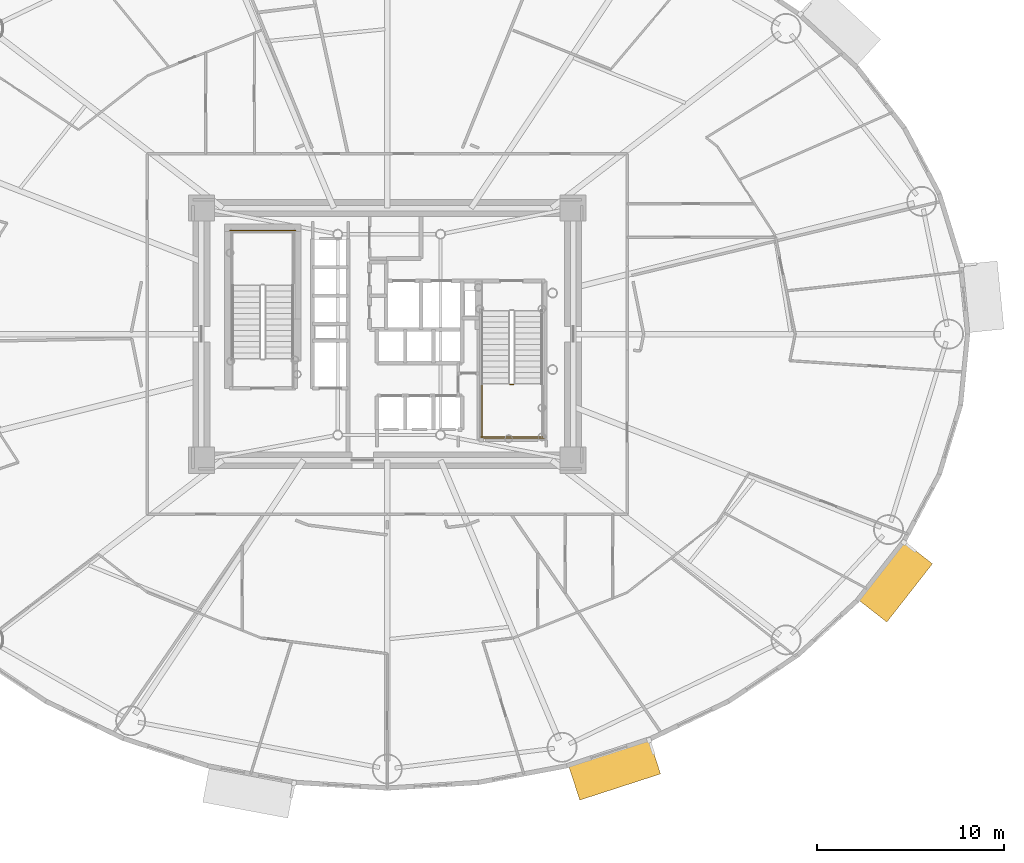
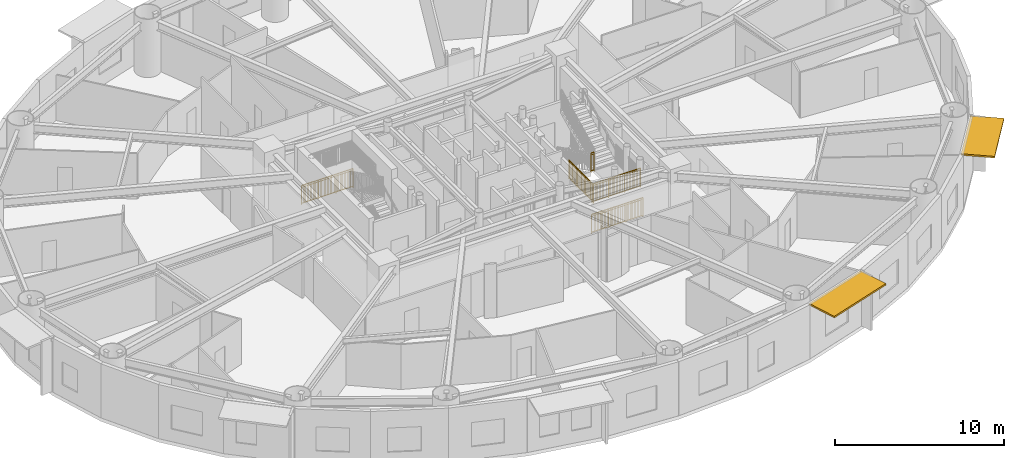
# One storey, part 18 of 21: 5 railings, 2 shading devices.
"""IFC4 building model written with IfcOpenShell, lengths in metres."""

from ifc_helpers import new_model, si_unit, direction, frame, origin, origin_2d, place, context, subcontext, project, spatial, rectangle, extrude, source, transform, mapped, material, layer, layer_set, type_object, element, save


model = new_model("IFC4")

# Units and contexts
model_context = context("Model", 3, precision=1e-05, world=origin(), true_north=direction((0.0, 1.0)))
body_context = subcontext(model_context, "Body", "Model", "MODEL_VIEW")
ifc_project = project(units=[si_unit("LENGTHUNIT", "METRE"), si_unit("AREAUNIT", "SQUARE_METRE"), si_unit("VOLUMEUNIT", "CUBIC_METRE"), si_unit("PLANEANGLEUNIT", "RADIAN"), si_unit("MASSUNIT", "GRAM", prefix="KILO")], contexts=[model_context])

# Site, building, storey
site_placement = place(None, origin())
site = spatial("IfcSite", under=ifc_project, at=site_placement, CompositionType="ELEMENT")
building_placement = place(site_placement, origin())
building = spatial("IfcBuilding", under=site, at=building_placement, Name="Linh Dai School and Residence Tower", CompositionType="ELEMENT")
storey_placement = place(building_placement, frame((0.0, 0.0, 82.800048828125)))
storey = spatial("IfcBuildingStorey", under=building, at=storey_placement, Name="L19", CompositionType="ELEMENT", Elevation=82.800048828125)

# Shading devices
ifc_material_1 = material(Name="Terracotta Ceramic Sunshade", Category="masonry")
ifc_layer = layer(ifc_material_1, 0.1201171875)
ifc_layer_set = layer_set([ifc_layer], Name="Terracotta Ceramic Sunshade")
shading_device_type = type_object("IfcShadingDeviceType", Name="SHD-TC-2000", PredefinedType="USERDEFINED", material=ifc_layer_set)
shared_shape_1 = source(origin(), body_context, "Body", "SweptSolid", [
    extrude(rectangle(XDim=4.54931640625, YDim=2.0, at=origin_2d()), origin(), (0.0, 0.0, 1.0), 0.1201171875),
])
shading_device_1_placement = place(storey_placement, frame((48.160400390625, 3.70458984375, 3.760009765625), z_axis=(0.0, 0.0, 1.0), x_axis=(-0.951220777043, -0.308510993844, 0.0)))
element("IfcShadingDevice", 1, at=shading_device_1_placement, inside=storey, type_object=shading_device_type, Name="L19 Terracotta Horizontal Sunshade Band 33", ObjectType="SUNSHADE", PredefinedType="USERDEFINED", context=body_context, shape_type="MappedRepresentation", body=[
    mapped(shared_shape_1, transform((0.0, 0.0, 0.0), x_axis=(1.0, 0.0, 0.0), y_axis=(0.0, 1.0, 0.0), z_axis=(0.0, 0.0, 1.0), scale=1.0)),
])
shared_shape_2 = source(origin(), body_context, "Body", "SweptSolid", [
    extrude(rectangle(XDim=3.964111328125, YDim=2.0, at=origin_2d()), origin(), (0.0, 0.0, 1.0), 0.1201171875),
])
shading_device_2_placement = place(storey_placement, frame((63.17822265625, 13.759521484375, 3.760009765625), z_axis=(0.0, 0.0, 1.0), x_axis=(-0.616319427785, -0.787496262172, 0.0)))
element("IfcShadingDevice", 2, at=shading_device_2_placement, inside=storey, type_object=shading_device_type, Name="L19 Terracotta Horizontal Sunshade Band 37", ObjectType="SUNSHADE", PredefinedType="USERDEFINED", context=body_context, shape_type="MappedRepresentation", body=[
    mapped(shared_shape_2, transform((0.0, 0.0, 0.0), x_axis=(1.0, 0.0, 0.0), y_axis=(0.0, 1.0, 0.0), z_axis=(0.0, 0.0, 1.0), scale=1.0)),
])

# Railings
ifc_material_2 = material(Name="Structural Steel S355JR", Category="steel")
railing_type = type_object("IfcRailingType", Name="RL-ST-GUARD-1400", PredefinedType="GUARDRAIL", material=ifc_material_2)
shared_shape_3 = source(origin(), body_context, "Body", "SweptSolid", [
    extrude(rectangle(XDim=0.048095703125, YDim=0.048095703125, at=origin_2d()), frame((0.0, 0.0, 1.3759765625), z_axis=(-1.0, 0.0, 0.0), x_axis=(0.0, -1.0, 0.0)), (0.0, 0.0, 1.0), 3.5),
    extrude(rectangle(XDim=0.048095703125, YDim=0.048095703125, at=origin_2d()), frame((0.0, 0.0, 0.10009765625), z_axis=(-1.0, 0.0, 0.0), x_axis=(0.0, -1.0, 0.0)), (0.0, 0.0, 1.0), 3.5),
    extrude(rectangle(XDim=0.030029296875, YDim=0.030029296875, at=origin_2d()), frame((0.0, 0.0, 1.239990234375), z_axis=(-1.0, 0.0, 0.0), x_axis=(0.0, -1.0, 0.0)), (0.0, 0.0, 1.0), 3.5),
    extrude(rectangle(XDim=0.02001953125, YDim=0.02001953125, at=origin_2d()), frame((-0.09716796875, 0.0, 0.10009765625)), (0.0, 0.0, 1.0), 1.251708984375),
    extrude(rectangle(XDim=0.02001953125, YDim=0.02001953125, at=origin_2d()), frame((-0.1943359375, 0.0, 0.10009765625)), (0.0, 0.0, 1.0), 1.251708984375),
    extrude(rectangle(XDim=0.02001953125, YDim=0.02001953125, at=origin_2d()), frame((-0.291748046875, 0.0, 0.10009765625)), (0.0, 0.0, 1.0), 1.251708984375),
    extrude(rectangle(XDim=0.02001953125, YDim=0.02001953125, at=origin_2d()), frame((-0.388916015625, 0.0, 0.10009765625)), (0.0, 0.0, 1.0), 1.251708984375),
    extrude(rectangle(XDim=0.02001953125, YDim=0.02001953125, at=origin_2d()), frame((-0.486083984375, 0.0, 0.10009765625)), (0.0, 0.0, 1.0), 1.251708984375),
    extrude(rectangle(XDim=0.02001953125, YDim=0.02001953125, at=origin_2d()), frame((-0.583251953125, 0.0, 0.10009765625)), (0.0, 0.0, 1.0), 1.251708984375),
    extrude(rectangle(XDim=0.02001953125, YDim=0.02001953125, at=origin_2d()), frame((-0.6806640625, 0.0, 0.10009765625)), (0.0, 0.0, 1.0), 1.251708984375),
    extrude(rectangle(XDim=0.02001953125, YDim=0.02001953125, at=origin_2d()), frame((-0.77783203125, 0.0, 0.10009765625)), (0.0, 0.0, 1.0), 1.251708984375),
    extrude(rectangle(XDim=0.02001953125, YDim=0.02001953125, at=origin_2d()), frame((-0.875, 0.0, 0.10009765625)), (0.0, 0.0, 1.0), 1.251708984375),
    extrude(rectangle(XDim=0.02001953125, YDim=0.02001953125, at=origin_2d()), frame((-0.97216796875, 0.0, 0.10009765625)), (0.0, 0.0, 1.0), 1.251708984375),
    extrude(rectangle(XDim=0.02001953125, YDim=0.02001953125, at=origin_2d()), frame((-1.0693359375, 0.0, 0.10009765625)), (0.0, 0.0, 1.0), 1.251708984375),
    extrude(rectangle(XDim=0.02001953125, YDim=0.02001953125, at=origin_2d()), frame((-1.263916015625, 0.0, 0.10009765625)), (0.0, 0.0, 1.0), 1.251708984375),
    extrude(rectangle(XDim=0.02001953125, YDim=0.02001953125, at=origin_2d()), frame((-1.361083984375, 0.0, 0.10009765625)), (0.0, 0.0, 1.0), 1.251708984375),
    extrude(rectangle(XDim=0.02001953125, YDim=0.02001953125, at=origin_2d()), frame((-1.458251953125, 0.0, 0.10009765625)), (0.0, 0.0, 1.0), 1.251708984375),
    extrude(rectangle(XDim=0.02001953125, YDim=0.02001953125, at=origin_2d()), frame((-1.5556640625, 0.0, 0.10009765625)), (0.0, 0.0, 1.0), 1.251708984375),
    extrude(rectangle(XDim=0.02001953125, YDim=0.02001953125, at=origin_2d()), frame((-1.65283203125, 0.0, 0.10009765625)), (0.0, 0.0, 1.0), 1.251708984375),
    extrude(rectangle(XDim=0.02001953125, YDim=0.02001953125, at=origin_2d()), frame((-1.75, 0.0, 0.10009765625)), (0.0, 0.0, 1.0), 1.251708984375),
    extrude(rectangle(XDim=0.02001953125, YDim=0.02001953125, at=origin_2d()), frame((-1.84716796875, 0.0, 0.10009765625)), (0.0, 0.0, 1.0), 1.251708984375),
    extrude(rectangle(XDim=0.02001953125, YDim=0.02001953125, at=origin_2d()), frame((-1.9443359375, 0.0, 0.10009765625)), (0.0, 0.0, 1.0), 1.251708984375),
    extrude(rectangle(XDim=0.02001953125, YDim=0.02001953125, at=origin_2d()), frame((-2.041748046875, 0.0, 0.10009765625)), (0.0, 0.0, 1.0), 1.251708984375),
    extrude(rectangle(XDim=0.02001953125, YDim=0.02001953125, at=origin_2d()), frame((-2.138916015625, 0.0, 0.10009765625)), (0.0, 0.0, 1.0), 1.251708984375),
    extrude(rectangle(XDim=0.02001953125, YDim=0.02001953125, at=origin_2d()), frame((-2.236083984375, 0.0, 0.10009765625)), (0.0, 0.0, 1.0), 1.251708984375),
    extrude(rectangle(XDim=0.02001953125, YDim=0.02001953125, at=origin_2d()), frame((-2.4306640625, 0.0, 0.10009765625)), (0.0, 0.0, 1.0), 1.251708984375),
    extrude(rectangle(XDim=0.02001953125, YDim=0.02001953125, at=origin_2d()), frame((-2.52783203125, 0.0, 0.10009765625)), (0.0, 0.0, 1.0), 1.251708984375),
    extrude(rectangle(XDim=0.02001953125, YDim=0.02001953125, at=origin_2d()), frame((-2.625, 0.0, 0.10009765625)), (0.0, 0.0, 1.0), 1.251708984375),
    extrude(rectangle(XDim=0.02001953125, YDim=0.02001953125, at=origin_2d()), frame((-2.72216796875, 0.0, 0.10009765625)), (0.0, 0.0, 1.0), 1.251708984375),
    extrude(rectangle(XDim=0.02001953125, YDim=0.02001953125, at=origin_2d()), frame((-2.8193359375, 0.0, 0.10009765625)), (0.0, 0.0, 1.0), 1.251708984375),
    extrude(rectangle(XDim=0.02001953125, YDim=0.02001953125, at=origin_2d()), frame((-2.916748046875, 0.0, 0.10009765625)), (0.0, 0.0, 1.0), 1.251708984375),
    extrude(rectangle(XDim=0.02001953125, YDim=0.02001953125, at=origin_2d()), frame((-3.013916015625, 0.0, 0.10009765625)), (0.0, 0.0, 1.0), 1.251708984375),
    extrude(rectangle(XDim=0.02001953125, YDim=0.02001953125, at=origin_2d()), frame((-3.111083984375, 0.0, 0.10009765625)), (0.0, 0.0, 1.0), 1.251708984375),
    extrude(rectangle(XDim=0.02001953125, YDim=0.02001953125, at=origin_2d()), frame((-3.208251953125, 0.0, 0.10009765625)), (0.0, 0.0, 1.0), 1.251708984375),
    extrude(rectangle(XDim=0.02001953125, YDim=0.02001953125, at=origin_2d()), frame((-3.3056640625, 0.0, 0.10009765625)), (0.0, 0.0, 1.0), 1.251708984375),
    extrude(rectangle(XDim=0.02001953125, YDim=0.02001953125, at=origin_2d()), frame((-3.40283203125, 0.0, 0.10009765625)), (0.0, 0.0, 1.0), 1.251708984375),
    extrude(rectangle(XDim=0.0419921875, YDim=0.0419921875, at=origin_2d()), origin(), (0.0, 0.0, 1.0), 1.3759765625),
    extrude(rectangle(XDim=0.0419921875, YDim=0.0419921875, at=origin_2d()), frame((-1.166748046875, 0.0, 0.0)), (0.0, 0.0, 1.0), 1.3759765625),
    extrude(rectangle(XDim=0.0419921875, YDim=0.0419921875, at=origin_2d()), frame((-2.333251953125, 0.0, 0.0)), (0.0, 0.0, 1.0), 1.3759765625),
    extrude(rectangle(XDim=0.0419921875, YDim=0.0419921875, at=origin_2d()), frame((-3.5, 0.0, 0.0)), (0.0, 0.0, 1.0), 1.3759765625),
])
railing_1_placement = place(storey_placement, frame((31.080078125, 32.550048828125, 0.0)))
element("IfcRailing", 3, at=railing_1_placement, inside=storey, type_object=railing_type, Name="L19 ST1 stair guard 12", PredefinedType="GUARDRAIL", context=body_context, shape_type="MappedRepresentation", body=[
    mapped(shared_shape_3, transform((0.0, 0.0, 0.0), x_axis=(1.0, 0.0, 0.0), y_axis=(0.0, 1.0, 0.0), z_axis=(0.0, 0.0, 1.0), scale=1.0)),
])
shared_shape_4 = source(origin(), body_context, "Body", "SweptSolid", [
    extrude(rectangle(XDim=0.048095703125, YDim=0.048095703125, at=origin_2d()), frame((0.0, 0.0, 1.3759765625), z_axis=(1.0, 0.0, 0.0), x_axis=(0.0, 1.0, 0.0)), (0.0, 0.0, 1.0), 0.199951171875),
    extrude(rectangle(XDim=0.048095703125, YDim=0.048095703125, at=origin_2d()), frame((0.0, 0.0, 0.10009765625), z_axis=(1.0, 0.0, 0.0), x_axis=(0.0, 1.0, 0.0)), (0.0, 0.0, 1.0), 0.199951171875),
    extrude(rectangle(XDim=0.030029296875, YDim=0.030029296875, at=origin_2d()), frame((0.0, 0.0, 1.239990234375), z_axis=(1.0, 0.0, 0.0), x_axis=(0.0, 1.0, 0.0)), (0.0, 0.0, 1.0), 0.199951171875),
    extrude(rectangle(XDim=0.0419921875, YDim=0.0419921875, at=origin_2d()), origin(), (0.0, 0.0, 1.0), 1.3759765625),
    extrude(rectangle(XDim=0.0419921875, YDim=0.0419921875, at=origin_2d()), frame((0.199951171875, 0.0, 0.0)), (0.0, 0.0, 1.0), 1.3759765625),
])
railing_2_placement = place(storey_placement, frame((42.570068359375, 24.300048828125, 2.099853515625)))
element("IfcRailing", 4, at=railing_2_placement, inside=storey, type_object=railing_type, Name="L19 ST2 stair guard 2", PredefinedType="GUARDRAIL", context=body_context, shape_type="MappedRepresentation", body=[
    mapped(shared_shape_4, transform((0.0, 0.0, 0.0), x_axis=(1.0, 0.0, 0.0), y_axis=(0.0, 1.0, 0.0), z_axis=(0.0, 0.0, 1.0), scale=1.0)),
])
shared_shape_5 = source(origin(), body_context, "Body", "SweptSolid", [
    extrude(rectangle(XDim=0.048095703125, YDim=0.048095703125, at=origin_2d()), frame((0.0, 0.0, 1.3759765625), z_axis=(1.0, 0.0, 0.0), x_axis=(0.0, 1.0, 0.0)), (0.0, 0.0, 1.0), 3.300048828125),
    extrude(rectangle(XDim=0.048095703125, YDim=0.048095703125, at=origin_2d()), frame((0.0, 0.0, 0.10009765625), z_axis=(1.0, 0.0, 0.0), x_axis=(0.0, 1.0, 0.0)), (0.0, 0.0, 1.0), 3.300048828125),
    extrude(rectangle(XDim=0.030029296875, YDim=0.030029296875, at=origin_2d()), frame((0.0, 0.0, 1.239990234375), z_axis=(1.0, 0.0, 0.0), x_axis=(0.0, 1.0, 0.0)), (0.0, 0.0, 1.0), 3.300048828125),
    extrude(rectangle(XDim=0.02001953125, YDim=0.02001953125, at=origin_2d()), frame((0.09716796875, 0.0, 0.10009765625)), (0.0, 0.0, 1.0), 1.251708984375),
    extrude(rectangle(XDim=0.02001953125, YDim=0.02001953125, at=origin_2d()), frame((0.194091796875, 0.0, 0.10009765625)), (0.0, 0.0, 1.0), 1.251708984375),
    extrude(rectangle(XDim=0.02001953125, YDim=0.02001953125, at=origin_2d()), frame((0.291259765625, 0.0, 0.10009765625)), (0.0, 0.0, 1.0), 1.251708984375),
    extrude(rectangle(XDim=0.02001953125, YDim=0.02001953125, at=origin_2d()), frame((0.38818359375, 0.0, 0.10009765625)), (0.0, 0.0, 1.0), 1.251708984375),
    extrude(rectangle(XDim=0.02001953125, YDim=0.02001953125, at=origin_2d()), frame((0.4853515625, 0.0, 0.10009765625)), (0.0, 0.0, 1.0), 1.251708984375),
    extrude(rectangle(XDim=0.02001953125, YDim=0.02001953125, at=origin_2d()), frame((0.582275390625, 0.0, 0.10009765625)), (0.0, 0.0, 1.0), 1.251708984375),
    extrude(rectangle(XDim=0.02001953125, YDim=0.02001953125, at=origin_2d()), frame((0.679443359375, 0.0, 0.10009765625)), (0.0, 0.0, 1.0), 1.251708984375),
    extrude(rectangle(XDim=0.02001953125, YDim=0.02001953125, at=origin_2d()), frame((0.7763671875, 0.0, 0.10009765625)), (0.0, 0.0, 1.0), 1.251708984375),
    extrude(rectangle(XDim=0.02001953125, YDim=0.02001953125, at=origin_2d()), frame((0.87353515625, 0.0, 0.10009765625)), (0.0, 0.0, 1.0), 1.251708984375),
    extrude(rectangle(XDim=0.02001953125, YDim=0.02001953125, at=origin_2d()), frame((0.970703125, 0.0, 0.10009765625)), (0.0, 0.0, 1.0), 1.251708984375),
    extrude(rectangle(XDim=0.02001953125, YDim=0.02001953125, at=origin_2d()), frame((1.164794921875, 0.0, 0.10009765625)), (0.0, 0.0, 1.0), 1.251708984375),
    extrude(rectangle(XDim=0.02001953125, YDim=0.02001953125, at=origin_2d()), frame((1.26171875, 0.0, 0.10009765625)), (0.0, 0.0, 1.0), 1.251708984375),
    extrude(rectangle(XDim=0.02001953125, YDim=0.02001953125, at=origin_2d()), frame((1.35888671875, 0.0, 0.10009765625)), (0.0, 0.0, 1.0), 1.251708984375),
    extrude(rectangle(XDim=0.02001953125, YDim=0.02001953125, at=origin_2d()), frame((1.455810546875, 0.0, 0.10009765625)), (0.0, 0.0, 1.0), 1.251708984375),
    extrude(rectangle(XDim=0.02001953125, YDim=0.02001953125, at=origin_2d()), frame((1.552978515625, 0.0, 0.10009765625)), (0.0, 0.0, 1.0), 1.251708984375),
    extrude(rectangle(XDim=0.02001953125, YDim=0.02001953125, at=origin_2d()), frame((1.64990234375, 0.0, 0.10009765625)), (0.0, 0.0, 1.0), 1.251708984375),
    extrude(rectangle(XDim=0.02001953125, YDim=0.02001953125, at=origin_2d()), frame((1.7470703125, 0.0, 0.10009765625)), (0.0, 0.0, 1.0), 1.251708984375),
    extrude(rectangle(XDim=0.02001953125, YDim=0.02001953125, at=origin_2d()), frame((1.84423828125, 0.0, 0.10009765625)), (0.0, 0.0, 1.0), 1.251708984375),
    extrude(rectangle(XDim=0.02001953125, YDim=0.02001953125, at=origin_2d()), frame((1.941162109375, 0.0, 0.10009765625)), (0.0, 0.0, 1.0), 1.251708984375),
    extrude(rectangle(XDim=0.02001953125, YDim=0.02001953125, at=origin_2d()), frame((2.038330078125, 0.0, 0.10009765625)), (0.0, 0.0, 1.0), 1.251708984375),
    extrude(rectangle(XDim=0.02001953125, YDim=0.02001953125, at=origin_2d()), frame((2.13525390625, 0.0, 0.10009765625)), (0.0, 0.0, 1.0), 1.251708984375),
    extrude(rectangle(XDim=0.02001953125, YDim=0.02001953125, at=origin_2d()), frame((2.329345703125, 0.0, 0.10009765625)), (0.0, 0.0, 1.0), 1.251708984375),
    extrude(rectangle(XDim=0.02001953125, YDim=0.02001953125, at=origin_2d()), frame((2.426513671875, 0.0, 0.10009765625)), (0.0, 0.0, 1.0), 1.251708984375),
    extrude(rectangle(XDim=0.02001953125, YDim=0.02001953125, at=origin_2d()), frame((2.523681640625, 0.0, 0.10009765625)), (0.0, 0.0, 1.0), 1.251708984375),
    extrude(rectangle(XDim=0.02001953125, YDim=0.02001953125, at=origin_2d()), frame((2.62060546875, 0.0, 0.10009765625)), (0.0, 0.0, 1.0), 1.251708984375),
    extrude(rectangle(XDim=0.02001953125, YDim=0.02001953125, at=origin_2d()), frame((2.7177734375, 0.0, 0.10009765625)), (0.0, 0.0, 1.0), 1.251708984375),
    extrude(rectangle(XDim=0.02001953125, YDim=0.02001953125, at=origin_2d()), frame((2.814697265625, 0.0, 0.10009765625)), (0.0, 0.0, 1.0), 1.251708984375),
    extrude(rectangle(XDim=0.02001953125, YDim=0.02001953125, at=origin_2d()), frame((2.911865234375, 0.0, 0.10009765625)), (0.0, 0.0, 1.0), 1.251708984375),
    extrude(rectangle(XDim=0.02001953125, YDim=0.02001953125, at=origin_2d()), frame((3.0087890625, 0.0, 0.10009765625)), (0.0, 0.0, 1.0), 1.251708984375),
    extrude(rectangle(XDim=0.02001953125, YDim=0.02001953125, at=origin_2d()), frame((3.10595703125, 0.0, 0.10009765625)), (0.0, 0.0, 1.0), 1.251708984375),
    extrude(rectangle(XDim=0.02001953125, YDim=0.02001953125, at=origin_2d()), frame((3.202880859375, 0.0, 0.10009765625)), (0.0, 0.0, 1.0), 1.251708984375),
    extrude(rectangle(XDim=0.0419921875, YDim=0.0419921875, at=origin_2d()), origin(), (0.0, 0.0, 1.0), 1.3759765625),
    extrude(rectangle(XDim=0.0419921875, YDim=0.0419921875, at=origin_2d()), frame((1.10009765625, 0.0, 0.0)), (0.0, 0.0, 1.0), 1.3759765625),
    extrude(rectangle(XDim=0.0419921875, YDim=0.0419921875, at=origin_2d()), frame((2.199951171875, 0.0, 0.0)), (0.0, 0.0, 1.0), 1.3759765625),
    extrude(rectangle(XDim=0.0419921875, YDim=0.0419921875, at=origin_2d()), frame((3.300048828125, 0.0, 0.0)), (0.0, 0.0, 1.0), 1.3759765625),
])
railing_3_placement = place(storey_placement, frame((41.02001953125, 21.5, 2.099853515625)))
element("IfcRailing", 5, at=railing_3_placement, inside=storey, type_object=railing_type, Name="L19 ST2 stair guard 5", PredefinedType="GUARDRAIL", context=body_context, shape_type="MappedRepresentation", body=[
    mapped(shared_shape_5, transform((0.0, 0.0, 0.0), x_axis=(1.0, 0.0, 0.0), y_axis=(0.0, 1.0, 0.0), z_axis=(0.0, 0.0, 1.0), scale=1.0)),
])
shared_shape_6 = source(origin(), body_context, "Body", "SweptSolid", [
    extrude(rectangle(XDim=0.048095703125, YDim=0.048095703125, at=origin_2d()), frame((0.0, 0.0, 1.3759765625), z_axis=(1.0, 0.0, 0.0), x_axis=(0.0, 1.0, 0.0)), (0.0, 0.0, 1.0), 3.5),
    extrude(rectangle(XDim=0.048095703125, YDim=0.048095703125, at=origin_2d()), frame((0.0, 0.0, 0.10009765625), z_axis=(1.0, 0.0, 0.0), x_axis=(0.0, 1.0, 0.0)), (0.0, 0.0, 1.0), 3.5),
    extrude(rectangle(XDim=0.030029296875, YDim=0.030029296875, at=origin_2d()), frame((0.0, 0.0, 1.239990234375), z_axis=(1.0, 0.0, 0.0), x_axis=(0.0, 1.0, 0.0)), (0.0, 0.0, 1.0), 3.5),
    extrude(rectangle(XDim=0.02001953125, YDim=0.02001953125, at=origin_2d()), frame((0.09716796875, 0.0, 0.10009765625)), (0.0, 0.0, 1.0), 1.251708984375),
    extrude(rectangle(XDim=0.02001953125, YDim=0.02001953125, at=origin_2d()), frame((0.1943359375, 0.0, 0.10009765625)), (0.0, 0.0, 1.0), 1.251708984375),
    extrude(rectangle(XDim=0.02001953125, YDim=0.02001953125, at=origin_2d()), frame((0.291748046875, 0.0, 0.10009765625)), (0.0, 0.0, 1.0), 1.251708984375),
    extrude(rectangle(XDim=0.02001953125, YDim=0.02001953125, at=origin_2d()), frame((0.388916015625, 0.0, 0.10009765625)), (0.0, 0.0, 1.0), 1.251708984375),
    extrude(rectangle(XDim=0.02001953125, YDim=0.02001953125, at=origin_2d()), frame((0.486083984375, 0.0, 0.10009765625)), (0.0, 0.0, 1.0), 1.251708984375),
    extrude(rectangle(XDim=0.02001953125, YDim=0.02001953125, at=origin_2d()), frame((0.583251953125, 0.0, 0.10009765625)), (0.0, 0.0, 1.0), 1.251708984375),
    extrude(rectangle(XDim=0.02001953125, YDim=0.02001953125, at=origin_2d()), frame((0.6806640625, 0.0, 0.10009765625)), (0.0, 0.0, 1.0), 1.251708984375),
    extrude(rectangle(XDim=0.02001953125, YDim=0.02001953125, at=origin_2d()), frame((0.77783203125, 0.0, 0.10009765625)), (0.0, 0.0, 1.0), 1.251708984375),
    extrude(rectangle(XDim=0.02001953125, YDim=0.02001953125, at=origin_2d()), frame((0.875, 0.0, 0.10009765625)), (0.0, 0.0, 1.0), 1.251708984375),
    extrude(rectangle(XDim=0.02001953125, YDim=0.02001953125, at=origin_2d()), frame((0.97216796875, 0.0, 0.10009765625)), (0.0, 0.0, 1.0), 1.251708984375),
    extrude(rectangle(XDim=0.02001953125, YDim=0.02001953125, at=origin_2d()), frame((1.0693359375, 0.0, 0.10009765625)), (0.0, 0.0, 1.0), 1.251708984375),
    extrude(rectangle(XDim=0.02001953125, YDim=0.02001953125, at=origin_2d()), frame((1.263916015625, 0.0, 0.10009765625)), (0.0, 0.0, 1.0), 1.251708984375),
    extrude(rectangle(XDim=0.02001953125, YDim=0.02001953125, at=origin_2d()), frame((1.361083984375, 0.0, 0.10009765625)), (0.0, 0.0, 1.0), 1.251708984375),
    extrude(rectangle(XDim=0.02001953125, YDim=0.02001953125, at=origin_2d()), frame((1.458251953125, 0.0, 0.10009765625)), (0.0, 0.0, 1.0), 1.251708984375),
    extrude(rectangle(XDim=0.02001953125, YDim=0.02001953125, at=origin_2d()), frame((1.5556640625, 0.0, 0.10009765625)), (0.0, 0.0, 1.0), 1.251708984375),
    extrude(rectangle(XDim=0.02001953125, YDim=0.02001953125, at=origin_2d()), frame((1.65283203125, 0.0, 0.10009765625)), (0.0, 0.0, 1.0), 1.251708984375),
    extrude(rectangle(XDim=0.02001953125, YDim=0.02001953125, at=origin_2d()), frame((1.75, 0.0, 0.10009765625)), (0.0, 0.0, 1.0), 1.251708984375),
    extrude(rectangle(XDim=0.02001953125, YDim=0.02001953125, at=origin_2d()), frame((1.84716796875, 0.0, 0.10009765625)), (0.0, 0.0, 1.0), 1.251708984375),
    extrude(rectangle(XDim=0.02001953125, YDim=0.02001953125, at=origin_2d()), frame((1.9443359375, 0.0, 0.10009765625)), (0.0, 0.0, 1.0), 1.251708984375),
    extrude(rectangle(XDim=0.02001953125, YDim=0.02001953125, at=origin_2d()), frame((2.041748046875, 0.0, 0.10009765625)), (0.0, 0.0, 1.0), 1.251708984375),
    extrude(rectangle(XDim=0.02001953125, YDim=0.02001953125, at=origin_2d()), frame((2.138916015625, 0.0, 0.10009765625)), (0.0, 0.0, 1.0), 1.251708984375),
    extrude(rectangle(XDim=0.02001953125, YDim=0.02001953125, at=origin_2d()), frame((2.236083984375, 0.0, 0.10009765625)), (0.0, 0.0, 1.0), 1.251708984375),
    extrude(rectangle(XDim=0.02001953125, YDim=0.02001953125, at=origin_2d()), frame((2.4306640625, 0.0, 0.10009765625)), (0.0, 0.0, 1.0), 1.251708984375),
    extrude(rectangle(XDim=0.02001953125, YDim=0.02001953125, at=origin_2d()), frame((2.52783203125, 0.0, 0.10009765625)), (0.0, 0.0, 1.0), 1.251708984375),
    extrude(rectangle(XDim=0.02001953125, YDim=0.02001953125, at=origin_2d()), frame((2.625, 0.0, 0.10009765625)), (0.0, 0.0, 1.0), 1.251708984375),
    extrude(rectangle(XDim=0.02001953125, YDim=0.02001953125, at=origin_2d()), frame((2.72216796875, 0.0, 0.10009765625)), (0.0, 0.0, 1.0), 1.251708984375),
    extrude(rectangle(XDim=0.02001953125, YDim=0.02001953125, at=origin_2d()), frame((2.8193359375, 0.0, 0.10009765625)), (0.0, 0.0, 1.0), 1.251708984375),
    extrude(rectangle(XDim=0.02001953125, YDim=0.02001953125, at=origin_2d()), frame((2.916748046875, 0.0, 0.10009765625)), (0.0, 0.0, 1.0), 1.251708984375),
    extrude(rectangle(XDim=0.02001953125, YDim=0.02001953125, at=origin_2d()), frame((3.013916015625, 0.0, 0.10009765625)), (0.0, 0.0, 1.0), 1.251708984375),
    extrude(rectangle(XDim=0.02001953125, YDim=0.02001953125, at=origin_2d()), frame((3.111083984375, 0.0, 0.10009765625)), (0.0, 0.0, 1.0), 1.251708984375),
    extrude(rectangle(XDim=0.02001953125, YDim=0.02001953125, at=origin_2d()), frame((3.208251953125, 0.0, 0.10009765625)), (0.0, 0.0, 1.0), 1.251708984375),
    extrude(rectangle(XDim=0.02001953125, YDim=0.02001953125, at=origin_2d()), frame((3.3056640625, 0.0, 0.10009765625)), (0.0, 0.0, 1.0), 1.251708984375),
    extrude(rectangle(XDim=0.02001953125, YDim=0.02001953125, at=origin_2d()), frame((3.40283203125, 0.0, 0.10009765625)), (0.0, 0.0, 1.0), 1.251708984375),
    extrude(rectangle(XDim=0.0419921875, YDim=0.0419921875, at=origin_2d()), origin(), (0.0, 0.0, 1.0), 1.3759765625),
    extrude(rectangle(XDim=0.0419921875, YDim=0.0419921875, at=origin_2d()), frame((1.166748046875, 0.0, 0.0)), (0.0, 0.0, 1.0), 1.3759765625),
    extrude(rectangle(XDim=0.0419921875, YDim=0.0419921875, at=origin_2d()), frame((2.333251953125, 0.0, 0.0)), (0.0, 0.0, 1.0), 1.3759765625),
    extrude(rectangle(XDim=0.0419921875, YDim=0.0419921875, at=origin_2d()), frame((3.5, 0.0, 0.0)), (0.0, 0.0, 1.0), 1.3759765625),
])
railing_4_placement = place(storey_placement, frame((40.919921875, 21.39990234375, 0.0)))
element("IfcRailing", 6, at=railing_4_placement, inside=storey, type_object=railing_type, Name="L19 ST2 stair guard 12", PredefinedType="GUARDRAIL", context=body_context, shape_type="MappedRepresentation", body=[
    mapped(shared_shape_6, transform((0.0, 0.0, 0.0), x_axis=(1.0, 0.0, 0.0), y_axis=(0.0, 1.0, 0.0), z_axis=(0.0, 0.0, 1.0), scale=1.0)),
])
shared_shape_7 = source(origin(), body_context, "Body", "SweptSolid", [
    extrude(rectangle(XDim=0.048095703125, YDim=0.048095703125, at=origin_2d()), frame((0.0, 0.0, 1.3759765625), z_axis=(0.0, -1.0, 0.0), x_axis=(1.0, 0.0, 0.0)), (0.0, 0.0, 1.0), 2.900146484375),
    extrude(rectangle(XDim=0.048095703125, YDim=0.048095703125, at=origin_2d()), frame((0.0, 0.0, 0.10009765625), z_axis=(0.0, -1.0, 0.0), x_axis=(1.0, 0.0, 0.0)), (0.0, 0.0, 1.0), 2.900146484375),
    extrude(rectangle(XDim=0.030029296875, YDim=0.030029296875, at=origin_2d()), frame((0.0, 0.0, 1.239990234375), z_axis=(0.0, -1.0, 0.0), x_axis=(1.0, 0.0, 0.0)), (0.0, 0.0, 1.0), 2.900146484375),
    extrude(rectangle(XDim=0.02001953125, YDim=0.02001953125, at=origin_2d()), frame((0.0, -0.0966796875, 0.10009765625)), (0.0, 0.0, 1.0), 1.251708984375),
    extrude(rectangle(XDim=0.02001953125, YDim=0.02001953125, at=origin_2d()), frame((0.0, -0.193359375, 0.10009765625)), (0.0, 0.0, 1.0), 1.251708984375),
    extrude(rectangle(XDim=0.02001953125, YDim=0.02001953125, at=origin_2d()), frame((0.0, -0.2900390625, 0.10009765625)), (0.0, 0.0, 1.0), 1.251708984375),
    extrude(rectangle(XDim=0.02001953125, YDim=0.02001953125, at=origin_2d()), frame((0.0, -0.38671875, 0.10009765625)), (0.0, 0.0, 1.0), 1.251708984375),
    extrude(rectangle(XDim=0.02001953125, YDim=0.02001953125, at=origin_2d()), frame((0.0, -0.4833984375, 0.10009765625)), (0.0, 0.0, 1.0), 1.251708984375),
    extrude(rectangle(XDim=0.02001953125, YDim=0.02001953125, at=origin_2d()), frame((0.0, -0.580078125, 0.10009765625)), (0.0, 0.0, 1.0), 1.251708984375),
    extrude(rectangle(XDim=0.02001953125, YDim=0.02001953125, at=origin_2d()), frame((0.0, -0.6767578125, 0.10009765625)), (0.0, 0.0, 1.0), 1.251708984375),
    extrude(rectangle(XDim=0.02001953125, YDim=0.02001953125, at=origin_2d()), frame((0.0, -0.7734375, 0.10009765625)), (0.0, 0.0, 1.0), 1.251708984375),
    extrude(rectangle(XDim=0.02001953125, YDim=0.02001953125, at=origin_2d()), frame((0.0, -0.8701171875, 0.10009765625)), (0.0, 0.0, 1.0), 1.251708984375),
    extrude(rectangle(XDim=0.02001953125, YDim=0.02001953125, at=origin_2d()), frame((0.0, -1.0634765625, 0.10009765625)), (0.0, 0.0, 1.0), 1.251708984375),
    extrude(rectangle(XDim=0.02001953125, YDim=0.02001953125, at=origin_2d()), frame((0.0, -1.16015625, 0.10009765625)), (0.0, 0.0, 1.0), 1.251708984375),
    extrude(rectangle(XDim=0.02001953125, YDim=0.02001953125, at=origin_2d()), frame((0.0, -1.2568359375, 0.10009765625)), (0.0, 0.0, 1.0), 1.251708984375),
    extrude(rectangle(XDim=0.02001953125, YDim=0.02001953125, at=origin_2d()), frame((0.0, -1.353515625, 0.10009765625)), (0.0, 0.0, 1.0), 1.251708984375),
    extrude(rectangle(XDim=0.02001953125, YDim=0.02001953125, at=origin_2d()), frame((0.0, -1.4501953125, 0.10009765625)), (0.0, 0.0, 1.0), 1.251708984375),
    extrude(rectangle(XDim=0.02001953125, YDim=0.02001953125, at=origin_2d()), frame((0.0, -1.546630859375, 0.10009765625)), (0.0, 0.0, 1.0), 1.251708984375),
    extrude(rectangle(XDim=0.02001953125, YDim=0.02001953125, at=origin_2d()), frame((0.0, -1.643310546875, 0.10009765625)), (0.0, 0.0, 1.0), 1.251708984375),
    extrude(rectangle(XDim=0.02001953125, YDim=0.02001953125, at=origin_2d()), frame((0.0, -1.739990234375, 0.10009765625)), (0.0, 0.0, 1.0), 1.251708984375),
    extrude(rectangle(XDim=0.02001953125, YDim=0.02001953125, at=origin_2d()), frame((0.0, -1.836669921875, 0.10009765625)), (0.0, 0.0, 1.0), 1.251708984375),
    extrude(rectangle(XDim=0.02001953125, YDim=0.02001953125, at=origin_2d()), frame((0.0, -2.030029296875, 0.10009765625)), (0.0, 0.0, 1.0), 1.251708984375),
    extrude(rectangle(XDim=0.02001953125, YDim=0.02001953125, at=origin_2d()), frame((0.0, -2.126708984375, 0.10009765625)), (0.0, 0.0, 1.0), 1.251708984375),
    extrude(rectangle(XDim=0.02001953125, YDim=0.02001953125, at=origin_2d()), frame((0.0, -2.223388671875, 0.10009765625)), (0.0, 0.0, 1.0), 1.251708984375),
    extrude(rectangle(XDim=0.02001953125, YDim=0.02001953125, at=origin_2d()), frame((0.0, -2.320068359375, 0.10009765625)), (0.0, 0.0, 1.0), 1.251708984375),
    extrude(rectangle(XDim=0.02001953125, YDim=0.02001953125, at=origin_2d()), frame((0.0, -2.416748046875, 0.10009765625)), (0.0, 0.0, 1.0), 1.251708984375),
    extrude(rectangle(XDim=0.02001953125, YDim=0.02001953125, at=origin_2d()), frame((0.0, -2.513427734375, 0.10009765625)), (0.0, 0.0, 1.0), 1.251708984375),
    extrude(rectangle(XDim=0.02001953125, YDim=0.02001953125, at=origin_2d()), frame((0.0, -2.610107421875, 0.10009765625)), (0.0, 0.0, 1.0), 1.251708984375),
    extrude(rectangle(XDim=0.02001953125, YDim=0.02001953125, at=origin_2d()), frame((0.0, -2.706787109375, 0.10009765625)), (0.0, 0.0, 1.0), 1.251708984375),
    extrude(rectangle(XDim=0.02001953125, YDim=0.02001953125, at=origin_2d()), frame((0.0, -2.803466796875, 0.10009765625)), (0.0, 0.0, 1.0), 1.251708984375),
    extrude(rectangle(XDim=0.0419921875, YDim=0.0419921875, at=origin_2d()), origin(), (0.0, 0.0, 1.0), 1.3759765625),
    extrude(rectangle(XDim=0.0419921875, YDim=0.0419921875, at=origin_2d()), frame((0.0, -0.966796875, 0.0)), (0.0, 0.0, 1.0), 1.3759765625),
    extrude(rectangle(XDim=0.0419921875, YDim=0.0419921875, at=origin_2d()), frame((0.0, -1.933349609375, 0.0)), (0.0, 0.0, 1.0), 1.3759765625),
    extrude(rectangle(XDim=0.0419921875, YDim=0.0419921875, at=origin_2d()), frame((0.0, -2.900146484375, 0.0)), (0.0, 0.0, 1.0), 1.3759765625),
])
railing_5_placement = place(storey_placement, frame((41.070068359375, 24.35009765625, 2.099853515625)))
element("IfcRailing", 7, at=railing_5_placement, inside=storey, type_object=railing_type, Name="L19 ST2 stair guard 3", PredefinedType="GUARDRAIL", context=body_context, shape_type="MappedRepresentation", body=[
    mapped(shared_shape_7, transform((0.0, 0.0, 0.0), x_axis=(1.0, 0.0, 0.0), y_axis=(0.0, 1.0, 0.0), z_axis=(0.0, 0.0, 1.0), scale=1.0)),
])

save(model, "model.ifc")
